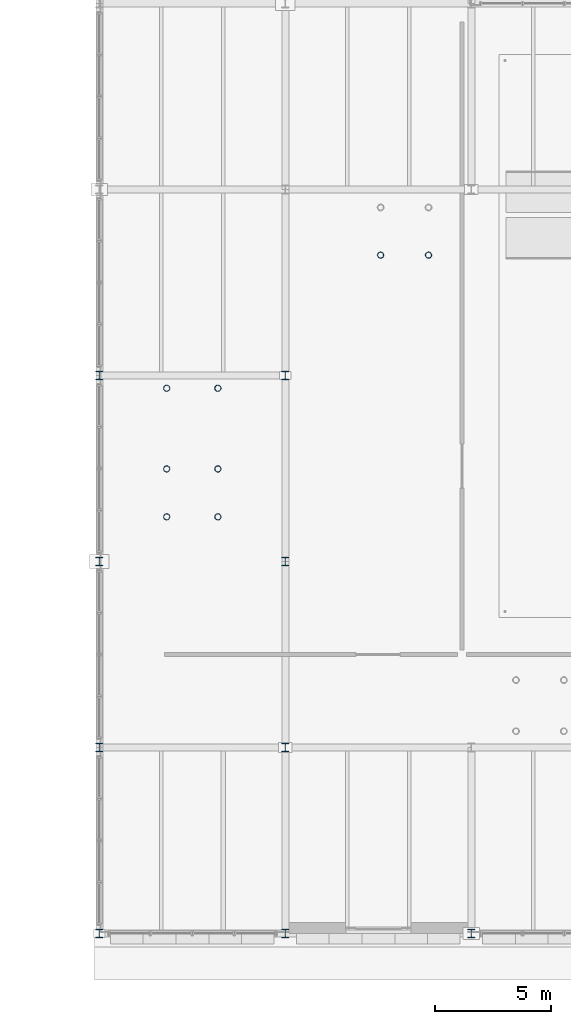
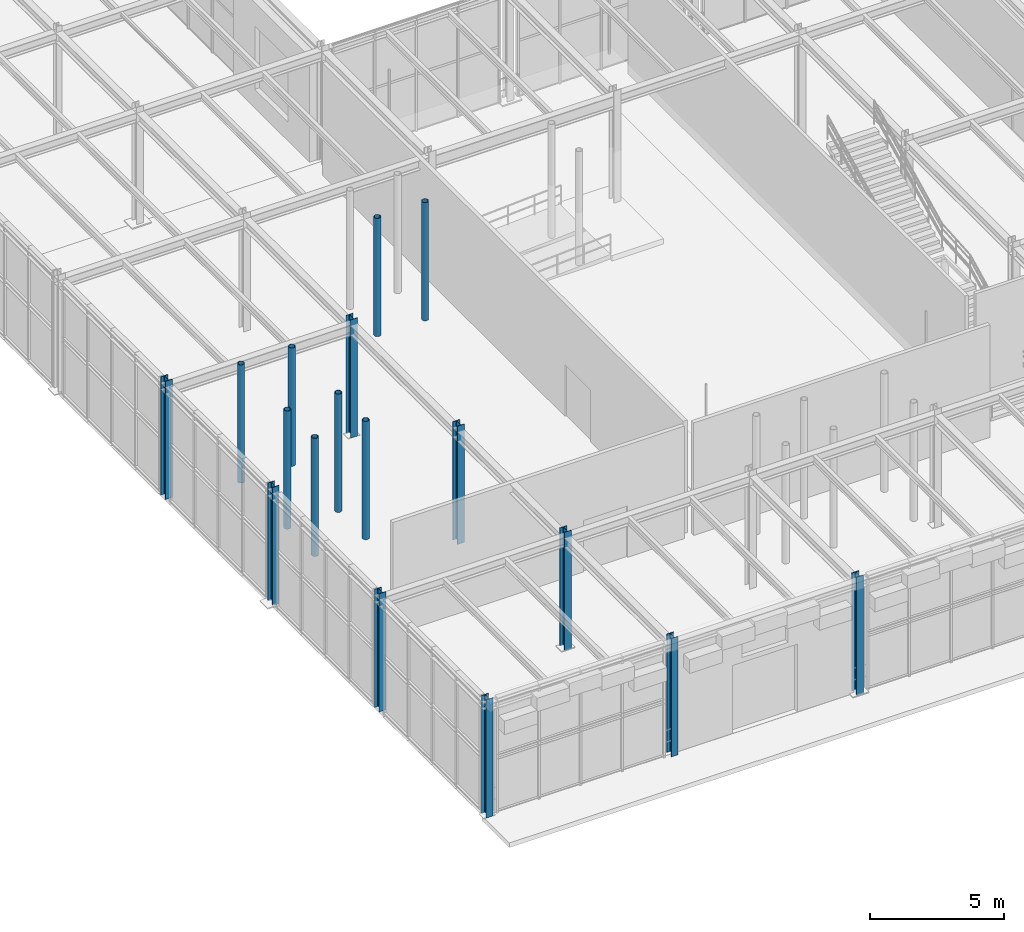
# One storey, part 3 of 129: 17 columns.
"""IFC4 building model written with IfcOpenShell, lengths in metres."""

from ifc_helpers import new_model, si_unit, direction, frame, origin, origin_2d, place, context, subcontext, project, spatial, hollow_circle, i_section, extrude, material, material_profile, profile_set, type_object, element, save


model = new_model("IFC4")

# Units and contexts
model_context = context("Model", 3, precision=1e-05, world=origin(), true_north=direction((0.0, 1.0)))
body_context = subcontext(model_context, "Body", "Model", "MODEL_VIEW")
ifc_project = project(units=[si_unit("LENGTHUNIT", "METRE"), si_unit("AREAUNIT", "SQUARE_METRE"), si_unit("VOLUMEUNIT", "CUBIC_METRE"), si_unit("PLANEANGLEUNIT", "RADIAN"), si_unit("MASSUNIT", "GRAM", prefix="KILO")], contexts=[model_context])

# Site, building, storey
site_placement = place(None, origin())
site = spatial("IfcSite", under=ifc_project, at=site_placement, CompositionType="ELEMENT")
building_placement = place(site_placement, origin())
building = spatial("IfcBuilding", under=site, at=building_placement, Name="Sundkrona Museum", CompositionType="ELEMENT")
storey_placement = place(building_placement, origin())
storey = spatial("IfcBuildingStorey", under=building, at=storey_placement, Name="L00", CompositionType="ELEMENT", Elevation=0.0)

# Columns
ifc_material = material(Name="Steel S355J2", Category="steel")
ifc_material_profile_1 = material_profile(ifc_material, hollow_circle(Radius=0.136474609375, WallThickness=0.012451171875, at=origin_2d()), Name="CHS 273.0x12.5")
ifc_profile_set_1 = profile_set([ifc_material_profile_1], Name="Steel S355J2")
column_type_1 = type_object("IfcColumnType", Name="C-CHS273", PredefinedType="COLUMN", material=ifc_profile_set_1)
for number, where, z_axis, x_axis, name in (
    (1, (85.10009765625, 17.919921875, 0.0), (0.0, 0.0, 1.0), (1.0, 0.0, 0.0), "L00 Feature Stair FS-2 Column S1-1"),
    (2, (82.89990234375, 17.919921875, 0.0), (0.0, 0.0, 1.0), (1.0, 0.0, 0.0), "L00 Feature Stair FS-2 Column S1-2"),
    (3, (85.10009765625, 19.97998046875, 0.0), (0.0, 0.0, 1.0), (1.0, 0.0, 0.0), "L00 Feature Stair FS-2 Column S2-1"),
    (4, (82.89990234375, 19.97998046875, 0.0), (0.0, 0.0, 1.0), (1.0, 0.0, 0.0), "L00 Feature Stair FS-2 Column S2-2"),
    (5, (85.10009765625, 23.449951171875, 0.0), (0.0, 0.0, 1.0), (1.0, 0.0, 0.0), "L00 Feature Stair FS-2 Column S3-1"),
    (6, (82.89990234375, 23.449951171875, 0.0), (0.0, 0.0, 1.0), (1.0, 0.0, 0.0), "L00 Feature Stair FS-2 Column S3-2"),
    (7, (92.10009765625, 29.175048828125, 0.0), (0.0, 0.0, 1.0), (1.0, 0.0, 0.0), "L00 Feature Stair FS-3 Column S1-1"),
    (8, (94.159912109375, 29.175048828125, 0.0), (0.0, 0.0, 1.0), (1.0, 0.0, 0.0), "L00 Feature Stair FS-3 Column S2-1"),
):
    element("IfcColumn", number, at=place(storey_placement, frame(where, z_axis=z_axis, x_axis=x_axis)), inside=storey, type_object=column_type_1, Name=name, PredefinedType="COLUMN", context=body_context, shape_type="SweptSolid", body=[
        extrude(hollow_circle(Radius=0.136474609375, WallThickness=0.012451171875, at=origin_2d()), origin(), (0.0, 0.0, 1.0), 5.39990234375),
    ])
ifc_material_profile_2 = material_profile(ifc_material, i_section(OverallWidth=0.300048828125, OverallDepth=0.360107421875, WebThickness=0.012451171875, FlangeThickness=0.0224609375, FilletRadius=0.027099609375, at=origin_2d()), Name="HEB 360")
ifc_profile_set_2 = profile_set([ifc_material_profile_2], Name="Steel S355J2")
column_type_2 = type_object("IfcColumnType", Name="C-HEB360", PredefinedType="COLUMN", material=ifc_profile_set_2)
for number, where, z_axis, x_axis, name in (
    (9, (80.0, 0.0, 0.0), (0.0, 0.0, 1.0), (1.0, 0.0, 0.0), "L00 Column A/11"),
    (10, (80.0, 8.0, 0.0), (0.0, 0.0, 1.0), (1.0, 0.0, 0.0), "L00 Column B/11"),
    (11, (80.0, 16.0, 0.0), (0.0, 0.0, 1.0), (1.0, 0.0, 0.0), "L00 Column C/11"),
    (12, (80.0, 24.0, 0.0), (0.0, 0.0, 1.0), (1.0, 0.0, 0.0), "L00 Column D/11"),
    (13, (88.0, 0.0, 0.0), (0.0, 0.0, 1.0), (1.0, 0.0, 0.0), "L00 Column A/12"),
    (14, (88.0, 8.0, 0.0), (0.0, 0.0, 1.0), (1.0, 0.0, 0.0), "L00 Column B/12"),
    (15, (88.0, 16.0, 0.0), (0.0, 0.0, 1.0), (1.0, 0.0, 0.0), "L00 Column C/12"),
    (16, (88.0, 24.0, 0.0), (0.0, 0.0, 1.0), (1.0, 0.0, 0.0), "L00 Column D/12"),
    (17, (96.0, 0.0, 0.0), (0.0, 0.0, 1.0), (1.0, 0.0, 0.0), "L00 Column A/13"),
):
    element("IfcColumn", number, at=place(storey_placement, frame(where, z_axis=z_axis, x_axis=x_axis)), inside=storey, type_object=column_type_2, Name=name, PredefinedType="COLUMN", context=body_context, shape_type="SweptSolid", body=[
        extrude(i_section(OverallWidth=0.300048828125, OverallDepth=0.360107421875, WebThickness=0.012451171875, FlangeThickness=0.0224609375, FilletRadius=0.027099609375, at=origin_2d()), origin(), (0.0, 0.0, 1.0), 5.39990234375),
    ])

save(model, "model.ifc")
